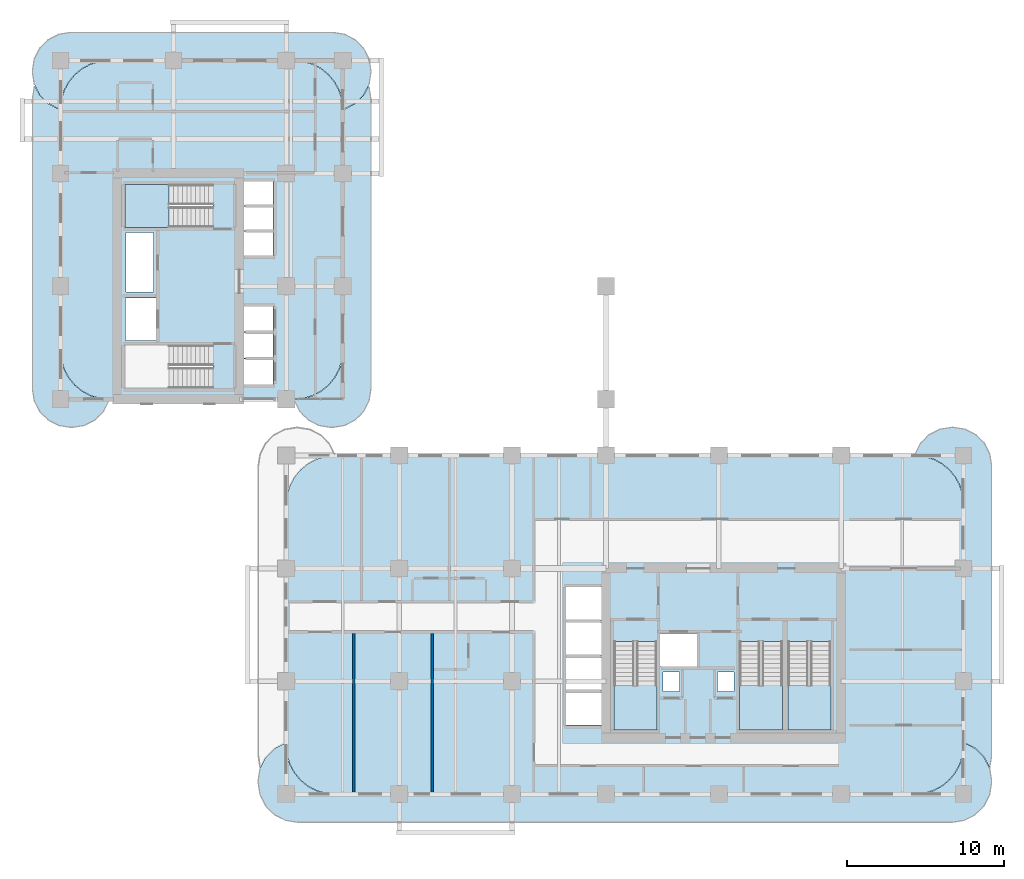
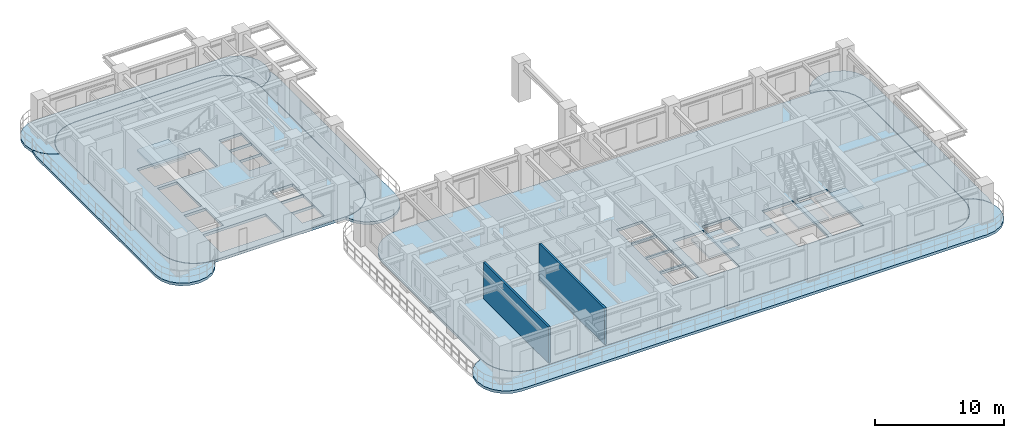
# One storey, part 5 of 18: 11 slabs, 2 walls, 4 elements without a shape of their own.
"""IFC4 building model written with IfcOpenShell, lengths in metres."""

from ifc_helpers import new_model, si_unit, derived_unit, direction, frame, frame_2d, origin, place, context, subcontext, project, spatial, polyline, rectangle, outline, extrude, material, layer, layer_set, type_object, element, aggregate, save


model = new_model("IFC4")

# Units and contexts
model_context = context("Model", 3, precision=1e-05, world=origin(), true_north=direction((0.0, 1.0)))
body_context = subcontext(model_context, "Body", "Model", "MODEL_VIEW")
ifc_project = project(units=[si_unit("LENGTHUNIT", "METRE"), si_unit("AREAUNIT", "SQUARE_METRE"), si_unit("VOLUMEUNIT", "CUBIC_METRE"), si_unit("PLANEANGLEUNIT", "RADIAN"), si_unit("MASSUNIT", "GRAM", prefix="KILO"), si_unit("THERMODYNAMICTEMPERATUREUNIT", "KELVIN"), si_unit("POWERUNIT", "WATT"), derived_unit("THERMALTRANSMITTANCEUNIT", [(si_unit("POWERUNIT", "WATT"), 1), (si_unit("AREAUNIT", "SQUARE_METRE"), -1), (si_unit("THERMODYNAMICTEMPERATUREUNIT", "KELVIN"), -1)])], contexts=[model_context])

# Site, building, storey
site_placement = place(None, origin())
site = spatial("IfcSite", under=ifc_project, at=site_placement, CompositionType="ELEMENT")
building_placement = place(site_placement, origin())
building = spatial("IfcBuilding", under=site, at=building_placement, Name="Zahravan Archway Hotel and Residences", CompositionType="ELEMENT")
storey_placement = place(building_placement, frame((0.0, 0.0, 50.89990234375)))
storey = spatial("IfcBuildingStorey", under=building, at=storey_placement, Name="L11", CompositionType="ELEMENT", Elevation=50.89990234375)

# Slabs
ifc_material_1 = material(Name="Concrete C45/55", Category="concrete")
ifc_layer_1 = layer(ifc_material_1, 0.25, Name="Concrete C45/55", Category="concrete")
ifc_layer_set_1 = layer_set([ifc_layer_1], Name="Concrete C45/55")
slab_type_1 = type_object("IfcSlabType", Name="SLB-BALC-250", PredefinedType="FLOOR", material=ifc_layer_set_1)
slab_1_placement = place(storey_placement, frame((0.0, 0.0, -0.25)))
element("IfcSlab", 1, at=slab_1_placement, inside=storey, type_object=slab_type_1, Name="L11 Wing A South Rounded Balcony Band", PredefinedType="FLOOR", context=body_context, shape_type="SweptSolid", body=[
    extrude(outline(polyline([(57.637939453125, 3.275146484375), (58.348876953125, 2.9130859375), (58.9130859375, 2.348876953125), (59.275146484375, 1.637939453125), (59.39990234375, 0.85009765625), (59.39990234375, 0.75), (59.275146484375, -0.0380859375), (58.9130859375, -0.748779296875), (58.348876953125, -1.31298828125), (57.637939453125, -1.67529296875), (56.85009765625, -1.800048828125), (15.14990234375, -1.800048828125), (14.362060546875, -1.67529296875), (13.651123046875, -1.31298828125), (13.0869140625, -0.748779296875), (12.724853515625, -0.0380859375), (12.60009765625, 0.75), (12.60009765625, 0.85009765625), (12.724853515625, 1.637939453125), (13.0869140625, 2.348876953125), (13.651123046875, 2.9130859375), (14.362060546875, 3.275146484375), (14.3798828125, 3.278076171875), (14.3798828125, 3.10009765625), (14.380126953125, 3.097900390625), (14.439697265625, 2.4931640625), (14.43994140625, 2.4912109375), (14.4404296875, 2.489501953125), (14.616943359375, 1.907958984375), (14.617431640625, 1.906005859375), (14.618408203125, 1.904296875), (14.90478515625, 1.368408203125), (14.90576171875, 1.36669921875), (14.906982421875, 1.364990234375), (15.29248046875, 0.895263671875), (15.2939453125, 0.893798828125), (15.29541015625, 0.892578125), (15.764892578125, 0.5068359375), (15.7666015625, 0.505859375), (15.768310546875, 0.5048828125), (16.30419921875, 0.218505859375), (16.305908203125, 0.217529296875), (16.307861328125, 0.216796875), (16.889404296875, 0.04052734375), (16.891357421875, 0.0400390625), (16.893310546875, 0.039794921875), (17.498046875, -0.02001953125), (17.5, -0.02001953125), (54.5, -0.02001953125), (54.501953125, -0.02001953125), (55.106689453125, 0.039794921875), (55.108642578125, 0.0400390625), (55.110595703125, 0.04052734375), (55.692138671875, 0.216796875), (55.694091796875, 0.217529296875), (55.69580078125, 0.218505859375), (56.231689453125, 0.5048828125), (56.2333984375, 0.505859375), (56.235107421875, 0.5068359375), (56.70458984375, 0.892578125), (56.7060546875, 0.893798828125), (56.70751953125, 0.895263671875), (57.093017578125, 1.364990234375), (57.09423828125, 1.36669921875), (57.09521484375, 1.368408203125), (57.381591796875, 1.904296875), (57.382568359375, 1.906005859375), (57.383056640625, 1.907958984375), (57.5595703125, 2.489501953125), (57.56005859375, 2.4912109375), (57.560302734375, 2.4931640625), (57.619873046875, 3.097900390625), (57.6201171875, 3.10009765625), (57.6201171875, 3.278076171875), (57.637939453125, 3.275146484375)])), origin(), (0.0, 0.0, 1.0), 0.25),
])
slab_2_placement = place(storey_placement, frame((0.0, 0.0, -0.25)))
element("IfcSlab", 2, at=slab_2_placement, inside=storey, type_object=slab_type_1, Name="L11 Wing A East Rounded Balcony Band", PredefinedType="FLOOR", context=body_context, shape_type="SweptSolid", body=[
    extrude(outline(polyline([(54.52001953125, 21.70703125), (54.867919921875, 22.39013671875), (55.409912109375, 22.93212890625), (56.093017578125, 23.280029296875), (56.85009765625, 23.39990234375), (56.949951171875, 23.39990234375), (57.70703125, 23.280029296875), (58.39013671875, 22.93212890625), (58.93212890625, 22.39013671875), (59.280029296875, 21.70703125), (59.39990234375, 20.949951171875), (59.39990234375, 2.449951171875), (59.280029296875, 1.69287109375), (59.27490234375, 1.6826171875), (58.930908203125, 2.35791015625), (58.9296875, 2.35986328125), (58.928466796875, 2.361572265625), (58.927001953125, 2.363037109375), (58.363037109375, 2.927001953125), (58.361572265625, 2.928466796875), (58.35986328125, 2.9296875), (58.35791015625, 2.930908203125), (57.647216796875, 3.29296875), (57.645263671875, 3.2939453125), (57.643310546875, 3.29443359375), (57.64111328125, 3.294921875), (57.623046875, 3.2978515625), (57.62109375, 3.298095703125), (57.6201171875, 3.298095703125), (57.6201171875, 18.5), (57.619873046875, 18.501953125), (57.560302734375, 19.106689453125), (57.56005859375, 19.108642578125), (57.5595703125, 19.110595703125), (57.383056640625, 19.692138671875), (57.382568359375, 19.694091796875), (57.381591796875, 19.69580078125), (57.09521484375, 20.231689453125), (57.09423828125, 20.2333984375), (57.093017578125, 20.235107421875), (56.70751953125, 20.70458984375), (56.7060546875, 20.7060546875), (56.70458984375, 20.70751953125), (56.235107421875, 21.093017578125), (56.2333984375, 21.09423828125), (56.231689453125, 21.09521484375), (55.69580078125, 21.381591796875), (55.694091796875, 21.382568359375), (55.692138671875, 21.383056640625), (55.110595703125, 21.5595703125), (55.108642578125, 21.56005859375), (55.106689453125, 21.560302734375), (54.506103515625, 21.619384765625), (54.52001953125, 21.70703125)])), origin(), (0.0, 0.0, 1.0), 0.25),
])
slab_3_placement = place(storey_placement, frame((0.0, 0.0, -0.25)))
element("IfcSlab", 3, at=slab_3_placement, inside=storey, type_object=slab_type_1, Name="L11 Wing B North Rounded Balcony Band", PredefinedType="FLOOR", context=body_context, shape_type="SweptSolid", body=[
    extrude(outline(polyline([(-0.107177734375, 43.719970703125), (-0.7900390625, 44.06787109375), (-1.33203125, 44.60986328125), (-1.68017578125, 45.29296875), (-1.800048828125, 46.050048828125), (-1.800048828125, 46.14990234375), (-1.68017578125, 46.906982421875), (-1.33203125, 47.590087890625), (-0.7900390625, 48.132080078125), (-0.107177734375, 48.47998046875), (0.64990234375, 48.60009765625), (17.35009765625, 48.60009765625), (18.107177734375, 48.47998046875), (18.7900390625, 48.132080078125), (19.33203125, 47.590087890625), (19.68017578125, 46.906982421875), (19.800048828125, 46.14990234375), (19.800048828125, 46.050048828125), (19.68017578125, 45.29296875), (19.33203125, 44.60986328125), (18.7900390625, 44.06787109375), (18.107177734375, 43.719970703125), (18.01953125, 43.7060546875), (17.960205078125, 44.306884765625), (17.9599609375, 44.30859375), (17.95947265625, 44.310546875), (17.783203125, 44.89208984375), (17.782470703125, 44.89404296875), (17.781494140625, 44.895751953125), (17.4951171875, 45.431640625), (17.494140625, 45.433349609375), (17.4931640625, 45.43505859375), (17.107421875, 45.90478515625), (17.106201171875, 45.906005859375), (17.104736328125, 45.907470703125), (16.635009765625, 46.293212890625), (16.63330078125, 46.294189453125), (16.631591796875, 46.295166015625), (16.095703125, 46.58154296875), (16.093994140625, 46.58251953125), (16.092041015625, 46.5830078125), (15.510498046875, 46.759521484375), (15.5087890625, 46.760009765625), (15.5068359375, 46.76025390625), (14.902099609375, 46.81982421875), (14.89990234375, 46.820068359375), (3.10009765625, 46.820068359375), (3.097900390625, 46.81982421875), (2.4931640625, 46.76025390625), (2.4912109375, 46.760009765625), (2.489501953125, 46.759521484375), (1.907958984375, 46.5830078125), (1.906005859375, 46.58251953125), (1.904296875, 46.58154296875), (1.368408203125, 46.295166015625), (1.36669921875, 46.294189453125), (1.364990234375, 46.293212890625), (0.895263671875, 45.907470703125), (0.893798828125, 45.906005859375), (0.892578125, 45.90478515625), (0.5068359375, 45.43505859375), (0.505859375, 45.433349609375), (0.5048828125, 45.431640625), (0.218505859375, 44.895751953125), (0.217529296875, 44.89404296875), (0.216796875, 44.89208984375), (0.04052734375, 44.310546875), (0.0400390625, 44.30859375), (0.039794921875, 44.306884765625), (-0.01953125, 43.7060546875), (-0.107177734375, 43.719970703125)])), origin(), (0.0, 0.0, 1.0), 0.25),
])
slab_4_placement = place(storey_placement, frame((0.0, 0.0, -0.25)))
element("IfcSlab", 4, at=slab_4_placement, inside=storey, type_object=slab_type_1, Name="L11 Wing B West Rounded Balcony Band", PredefinedType="FLOOR", context=body_context, shape_type="SweptSolid", body=[
    extrude(outline(polyline([(3.080078125, 25.093017578125), (2.732177734375, 24.409912109375), (2.190185546875, 23.867919921875), (1.507080078125, 23.52001953125), (0.75, 23.39990234375), (0.64990234375, 23.39990234375), (-0.107177734375, 23.52001953125), (-0.7900390625, 23.867919921875), (-1.33203125, 24.409912109375), (-1.68017578125, 25.093017578125), (-1.800048828125, 25.85009765625), (-1.800048828125, 44.35009765625), (-1.68017578125, 45.107177734375), (-1.64404296875, 45.177978515625), (-1.349853515625, 44.600830078125), (-1.348876953125, 44.59912109375), (-1.34765625, 44.597412109375), (-1.34619140625, 44.595703125), (-0.80419921875, 44.0537109375), (-0.802734375, 44.052490234375), (-0.801025390625, 44.051025390625), (-0.79931640625, 44.050048828125), (-0.1162109375, 43.7021484375), (-0.1142578125, 43.701171875), (-0.1123046875, 43.70068359375), (-0.110107421875, 43.7001953125), (-0.022705078125, 43.686279296875), (-0.020751953125, 43.68603515625), (-0.02001953125, 43.68603515625), (-0.02001953125, 28.300048828125), (-0.02001953125, 28.298095703125), (0.039794921875, 27.693115234375), (0.0400390625, 27.69140625), (0.04052734375, 27.689453125), (0.216796875, 27.10791015625), (0.217529296875, 27.10595703125), (0.218505859375, 27.104248046875), (0.5048828125, 26.568359375), (0.505859375, 26.566650390625), (0.5068359375, 26.56494140625), (0.892578125, 26.09521484375), (0.893798828125, 26.093994140625), (0.895263671875, 26.092529296875), (1.364990234375, 25.706787109375), (1.36669921875, 25.705810546875), (1.368408203125, 25.704833984375), (1.904296875, 25.41845703125), (1.906005859375, 25.41748046875), (1.907958984375, 25.4169921875), (2.489501953125, 25.240478515625), (2.4912109375, 25.239990234375), (2.4931640625, 25.23974609375), (3.093994140625, 25.180419921875), (3.080078125, 25.093017578125)])), origin(), (0.0, 0.0, 1.0), 0.25),
])
slab_5_placement = place(storey_placement, frame((0.0, 0.0, -0.25)))
element("IfcSlab", 5, at=slab_5_placement, inside=storey, type_object=slab_type_1, Name="L11 Wing B East Rounded Balcony Band", PredefinedType="FLOOR", context=body_context, shape_type="SweptSolid", body=[
    extrude(outline(polyline([(19.68017578125, 45.107177734375), (19.800048828125, 44.35009765625), (19.800048828125, 25.85009765625), (19.68017578125, 25.093017578125), (19.33203125, 24.409912109375), (18.7900390625, 23.867919921875), (18.107177734375, 23.52001953125), (17.35009765625, 23.39990234375), (17.25, 23.39990234375), (16.492919921875, 23.52001953125), (15.809814453125, 23.867919921875), (15.267822265625, 24.409912109375), (14.919921875, 25.093017578125), (14.906005859375, 25.180419921875), (15.5068359375, 25.23974609375), (15.5087890625, 25.239990234375), (15.510498046875, 25.240478515625), (16.092041015625, 25.4169921875), (16.093994140625, 25.41748046875), (16.095703125, 25.41845703125), (16.631591796875, 25.704833984375), (16.63330078125, 25.705810546875), (16.635009765625, 25.706787109375), (17.104736328125, 26.092529296875), (17.106201171875, 26.093994140625), (17.107421875, 26.09521484375), (17.4931640625, 26.56494140625), (17.494140625, 26.566650390625), (17.4951171875, 26.568359375), (17.781494140625, 27.104248046875), (17.782470703125, 27.10595703125), (17.783203125, 27.10791015625), (17.95947265625, 27.689453125), (17.9599609375, 27.69140625), (17.960205078125, 27.693115234375), (18.02001953125, 28.298095703125), (18.02001953125, 28.300048828125), (18.02001953125, 43.68603515625), (18.020751953125, 43.68603515625), (18.022705078125, 43.686279296875), (18.110107421875, 43.7001953125), (18.1123046875, 43.70068359375), (18.1142578125, 43.701171875), (18.1162109375, 43.7021484375), (18.79931640625, 44.050048828125), (18.801025390625, 44.051025390625), (18.802734375, 44.052490234375), (18.80419921875, 44.0537109375), (19.34619140625, 44.595703125), (19.34765625, 44.597412109375), (19.348876953125, 44.59912109375), (19.349853515625, 44.600830078125), (19.64404296875, 45.177978515625), (19.68017578125, 45.107177734375)])), origin(), (0.0, 0.0, 1.0), 0.25),
])
ifc_layer_2 = layer(ifc_material_1, 0.25, Name="Concrete C45/55", Category="concrete")
ifc_layer_set_2 = layer_set([ifc_layer_2], Name="Concrete C45/55")
slab_type_2 = type_object("IfcSlabType", Name="SLB-FLR-250", PredefinedType="FLOOR", material=ifc_layer_set_2)
slab_6_placement = place(storey_placement, frame((0.0, 0.0, -0.25)))
element("IfcSlab", 6, at=slab_6_placement, inside=storey, type_object=slab_type_2, Name="L11 Floor Slab WA", PredefinedType="FLOOR", context=body_context, shape_type="SweptSolid", body=[
    extrude(outline(polyline([(54.5, 0.0), (55.104736328125, 0.0595703125), (55.686279296875, 0.236083984375), (56.222412109375, 0.5224609375), (56.69189453125, 0.907958984375), (57.07763671875, 1.377685546875), (57.364013671875, 1.913818359375), (57.540283203125, 2.4951171875), (57.60009765625, 3.10009765625), (57.60009765625, 18.5), (57.540283203125, 19.104736328125), (57.364013671875, 19.686279296875), (57.07763671875, 20.222412109375), (56.69189453125, 20.69189453125), (56.222412109375, 21.07763671875), (55.686279296875, 21.364013671875), (55.104736328125, 21.540283203125), (54.5, 21.60009765625), (17.5, 21.60009765625), (16.895263671875, 21.540283203125), (16.313720703125, 21.364013671875), (15.777587890625, 21.07763671875), (15.30810546875, 20.69189453125), (14.92236328125, 20.222412109375), (14.635986328125, 19.686279296875), (14.459716796875, 19.104736328125), (14.39990234375, 18.5), (14.39990234375, 3.10009765625), (14.459716796875, 2.4951171875), (14.635986328125, 1.913818359375), (14.92236328125, 1.377685546875), (15.30810546875, 0.907958984375), (15.777587890625, 0.5224609375), (16.313720703125, 0.236083984375), (16.895263671875, 0.0595703125), (17.5, 0.0), (54.5, 0.0)]), holes=[polyline([(35.300048828125, 9.72998046875), (35.300048828125, 4.10009765625), (38.0400390625, 4.10009765625), (38.0400390625, 9.72998046875), (35.300048828125, 9.72998046875)]), polyline([(43.320068359375, 9.72998046875), (43.320068359375, 4.10009765625), (46.06005859375, 4.10009765625), (46.06005859375, 9.72998046875), (43.320068359375, 9.72998046875)]), polyline([(46.39990234375, 9.72998046875), (46.39990234375, 4.10009765625), (49.139892578125, 4.10009765625), (49.139892578125, 9.72998046875), (46.39990234375, 9.72998046875)]), polyline([(38.179931640625, 8.14990234375), (40.699951171875, 8.14990234375), (40.699951171875, 10.25), (38.179931640625, 10.25), (38.179931640625, 8.14990234375)]), polyline([(32.25, 4.39990234375), (34.550048828125, 4.39990234375), (34.550048828125, 6.47998046875), (32.25, 6.47998046875), (32.25, 4.39990234375)]), polyline([(32.25, 6.639892578125), (34.550048828125, 6.639892578125), (34.550048828125, 8.719970703125), (32.25, 8.719970703125), (32.25, 6.639892578125)]), polyline([(32.25, 8.8798828125), (34.550048828125, 8.8798828125), (34.550048828125, 10.9599609375), (32.25, 10.9599609375), (32.25, 8.8798828125)]), polyline([(32.25, 11.1201171875), (34.550048828125, 11.1201171875), (34.550048828125, 13.199951171875), (32.25, 13.199951171875), (32.25, 11.1201171875)]), polyline([(38.419921875, 6.56005859375), (39.5, 6.56005859375), (39.5, 7.780029296875), (38.419921875, 7.780029296875), (38.419921875, 6.56005859375)]), polyline([(41.89990234375, 6.56005859375), (42.9599609375, 6.56005859375), (42.9599609375, 7.780029296875), (41.89990234375, 7.780029296875), (41.89990234375, 6.56005859375)])]), origin(), (0.0, 0.0, 1.0), 0.25),
])
slab_7_placement = place(storey_placement, frame((0.0, 0.0, -0.25)))
element("IfcSlab", 7, at=slab_7_placement, inside=storey, type_object=slab_type_2, Name="L11 Floor Slab WB", PredefinedType="FLOOR", context=body_context, shape_type="SweptSolid", body=[
    extrude(outline(polyline([(14.89990234375, 25.199951171875), (15.5048828125, 25.259521484375), (16.086181640625, 25.43603515625), (16.622314453125, 25.722412109375), (17.092041015625, 26.10791015625), (17.4775390625, 26.57763671875), (17.763916015625, 27.11376953125), (17.9404296875, 27.6953125), (18.0, 28.300048828125), (18.0, 43.699951171875), (17.9404296875, 44.3046875), (17.763916015625, 44.88623046875), (17.4775390625, 45.42236328125), (17.092041015625, 45.89208984375), (16.622314453125, 46.277587890625), (16.086181640625, 46.56396484375), (15.5048828125, 46.740478515625), (14.89990234375, 46.800048828125), (3.10009765625, 46.800048828125), (2.4951171875, 46.740478515625), (1.913818359375, 46.56396484375), (1.377685546875, 46.277587890625), (0.907958984375, 45.89208984375), (0.5224609375, 45.42236328125), (0.236083984375, 44.88623046875), (0.0595703125, 44.3046875), (0.0, 43.699951171875), (0.0, 28.300048828125), (0.0595703125, 27.6953125), (0.236083984375, 27.11376953125), (0.5224609375, 26.57763671875), (0.907958984375, 26.10791015625), (1.377685546875, 25.722412109375), (1.913818359375, 25.43603515625), (2.4951171875, 25.259521484375), (3.10009765625, 25.199951171875), (14.89990234375, 25.199951171875)]), holes=[polyline([(9.72998046875, 28.639892578125), (4.10009765625, 28.639892578125), (4.10009765625, 25.89990234375), (9.72998046875, 25.89990234375), (9.72998046875, 28.639892578125)]), polyline([(9.72998046875, 38.89990234375), (4.10009765625, 38.89990234375), (4.10009765625, 36.159912109375), (9.72998046875, 36.159912109375), (9.72998046875, 38.89990234375)]), polyline([(4.14990234375, 28.949951171875), (6.10009765625, 28.949951171875), (6.10009765625, 31.64990234375), (4.14990234375, 31.64990234375), (4.14990234375, 28.949951171875)]), polyline([(11.550048828125, 26.14990234375), (13.550048828125, 26.14990234375), (13.550048828125, 27.75), (11.550048828125, 27.75), (11.550048828125, 26.14990234375)]), polyline([(11.550048828125, 27.830078125), (13.550048828125, 27.830078125), (13.550048828125, 29.429931640625), (11.550048828125, 29.429931640625), (11.550048828125, 27.830078125)]), polyline([(11.550048828125, 29.510009765625), (13.550048828125, 29.510009765625), (13.550048828125, 31.110107421875), (11.550048828125, 31.110107421875), (11.550048828125, 29.510009765625)]), polyline([(11.550048828125, 34.35009765625), (13.550048828125, 34.35009765625), (13.550048828125, 35.889892578125), (11.550048828125, 35.889892578125), (11.550048828125, 34.35009765625)]), polyline([(11.550048828125, 35.949951171875), (13.550048828125, 35.949951171875), (13.550048828125, 37.489990234375), (11.550048828125, 37.489990234375), (11.550048828125, 35.949951171875)]), polyline([(11.550048828125, 37.550048828125), (13.550048828125, 37.550048828125), (13.550048828125, 39.090087890625), (11.550048828125, 39.090087890625), (11.550048828125, 37.550048828125)]), polyline([(4.179931640625, 32.050048828125), (5.93994140625, 32.050048828125), (5.93994140625, 35.840087890625), (4.179931640625, 35.840087890625), (4.179931640625, 32.050048828125)])]), origin(), (0.0, 0.0, 1.0), 0.25),
])

# Stair, slab
ifc_material_2 = material(Name="Concrete C50/60", Category="concrete")
stair_type = type_object("IfcStairType", Name="STR-CORE-1300", PredefinedType="HALF_TURN_STAIR", material=ifc_material_2)
stair_1_placement = place(storey_placement, origin())
stair_1 = element("IfcStair", 8, at=stair_1_placement, inside=storey, type_object=stair_type, Name="L11 Core A Exit Stair 1", PredefinedType="HALF_TURN_STAIR")
ifc_layer_3 = layer(ifc_material_2, 0.199951171875, Name="Concrete C50/60", Category="concrete")
ifc_layer_set_3 = layer_set([ifc_layer_3], Name="Concrete C50/60")
slab_type_3 = type_object("IfcSlabType", Name="SLB-LND-200", PredefinedType="LANDING", material=ifc_layer_set_3)
slab_8_placement = place(storey_placement, frame((0.0, 0.0, 1.650146484375)))
slab_8 = element("IfcSlab", 9, at=slab_8_placement, type_object=slab_type_3, Name="ST-A1 landing 1", PredefinedType="LANDING", context=body_context, shape_type="SweptSolid", body=[
    extrude(outline(polyline([(35.300048828125, 6.929931640625), (35.300048828125, 4.10009765625), (38.0400390625, 4.10009765625), (38.0400390625, 6.929931640625), (35.300048828125, 6.929931640625)])), origin(), (0.0, 0.0, 1.0), 0.199951171875),
])
aggregate(stair_1, [slab_8])

stair_2_placement = place(storey_placement, origin())
stair_2 = element("IfcStair", 10, at=stair_2_placement, inside=storey, type_object=stair_type, Name="L11 Core A Exit Stair 2", PredefinedType="HALF_TURN_STAIR")
slab_9_placement = place(storey_placement, frame((0.0, 0.0, 1.650146484375)))
slab_9 = element("IfcSlab", 11, at=slab_9_placement, type_object=slab_type_3, Name="ST-A2 landing 1", PredefinedType="LANDING", context=body_context, shape_type="SweptSolid", body=[
    extrude(outline(polyline([(43.320068359375, 6.929931640625), (43.320068359375, 4.10009765625), (46.06005859375, 4.10009765625), (46.06005859375, 6.929931640625), (43.320068359375, 6.929931640625)])), origin(), (0.0, 0.0, 1.0), 0.199951171875),
])
aggregate(stair_2, [slab_9])

stair_3_placement = place(storey_placement, origin())
stair_3 = element("IfcStair", 12, at=stair_3_placement, inside=storey, type_object=stair_type, Name="L11 Core A Exit Stair 3", PredefinedType="HALF_TURN_STAIR")
slab_10_placement = place(storey_placement, frame((0.0, 0.0, 1.650146484375)))
slab_10 = element("IfcSlab", 13, at=slab_10_placement, type_object=slab_type_3, Name="ST-A3 landing 1", PredefinedType="LANDING", context=body_context, shape_type="SweptSolid", body=[
    extrude(outline(polyline([(46.39990234375, 6.929931640625), (46.39990234375, 4.10009765625), (49.139892578125, 4.10009765625), (49.139892578125, 6.929931640625), (46.39990234375, 6.929931640625)])), origin(), (0.0, 0.0, 1.0), 0.199951171875),
])
aggregate(stair_3, [slab_10])

stair_4_placement = place(storey_placement, origin())
stair_4 = element("IfcStair", 14, at=stair_4_placement, inside=storey, type_object=stair_type, Name="L11 Core B Exit Stair 2", PredefinedType="HALF_TURN_STAIR")
slab_11_placement = place(storey_placement, frame((0.0, 0.0, 1.650146484375)))
slab_11 = element("IfcSlab", 15, at=slab_11_placement, type_object=slab_type_3, Name="ST-B2 landing 1", PredefinedType="LANDING", context=body_context, shape_type="SweptSolid", body=[
    extrude(outline(polyline([(6.929931640625, 38.89990234375), (4.10009765625, 38.89990234375), (4.10009765625, 36.159912109375), (6.929931640625, 36.159912109375), (6.929931640625, 38.89990234375)])), origin(), (0.0, 0.0, 1.0), 0.199951171875),
])
aggregate(stair_4, [slab_11])

# Walls
ifc_material_3 = material(Name="Acoustic Stud Partition")
ifc_layer_4 = layer(ifc_material_3, 0.169921875, Name="Acoustic Stud Partition")
ifc_layer_set_4 = layer_set([ifc_layer_4], Name="Acoustic Stud Partition")
wall_type = type_object("IfcWallType", Name="PW-UNIT-170", PredefinedType="PARTITIONING", material=ifc_layer_set_4)
for number, where, z_axis, x_axis, name in (
    (16, (18.699951171875, 0.14794921875, 0.0), (0.0, 0.0, 1.0), (0.0, 1.0, 0.0), "L11 Partition WAS-2A"),
    (17, (23.719970703125, 0.14794921875, 0.0), (0.0, 0.0, 1.0), (0.0, 1.0, 0.0), "L11 Partition WAS-2B"),
):
    element("IfcWall", number, at=place(storey_placement, frame(where, z_axis=z_axis, x_axis=x_axis)), inside=storey, type_object=wall_type, Name=name, PredefinedType="PARTITIONING", context=body_context, shape_type="SweptSolid", body=[
        extrude(rectangle(XDim=10.112060546875, YDim=0.169921875, at=frame_2d((5.05615234375, 0.0))), origin(), (0.0, 0.0, 1.0), 3.4501953125),
    ])

save(model, "model.ifc")
